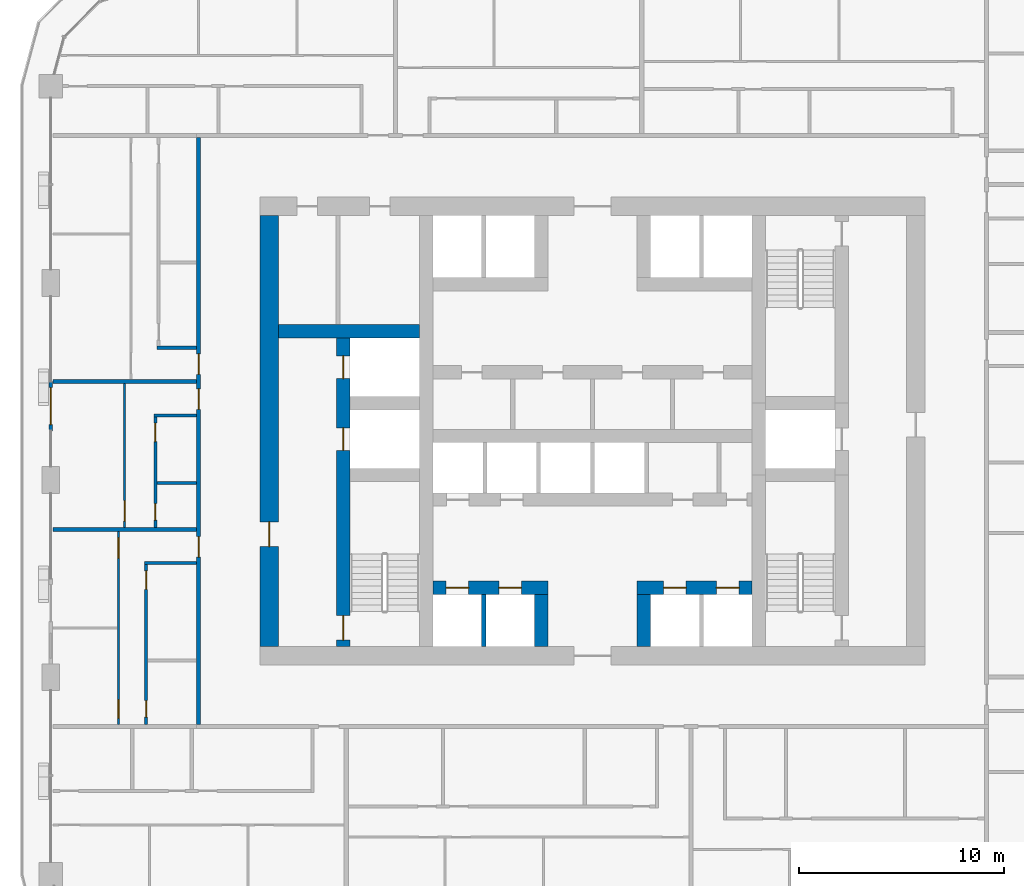
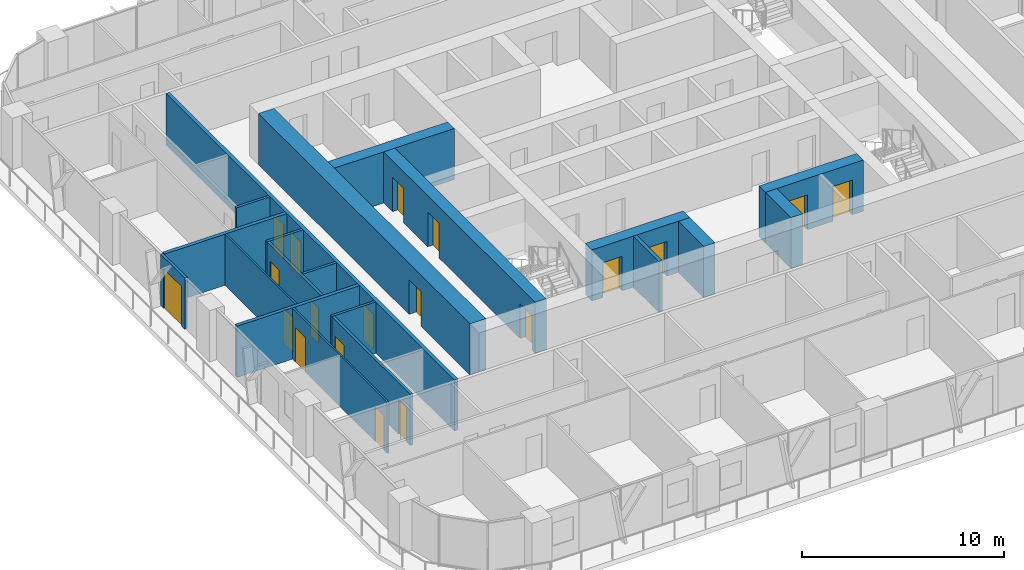
# One storey, part 10 of 21: 20 walls, 19 doors, 19 openings.
"""IFC4 building model written with IfcOpenShell, lengths in metres."""

from ifc_helpers import new_model, si_unit, direction, frame, frame_2d, origin, place, context, subcontext, project, spatial, rectangle, extrude, material, layer, layer_set, type_object, element, fill, save


model = new_model("IFC4")

# Units and contexts
model_context = context("Model", 3, precision=1e-05, world=origin(), true_north=direction((0.0, 1.0)))
body_context = subcontext(model_context, "Body", "Model", "MODEL_VIEW")
ifc_project = project(units=[si_unit("LENGTHUNIT", "METRE"), si_unit("AREAUNIT", "SQUARE_METRE"), si_unit("VOLUMEUNIT", "CUBIC_METRE"), si_unit("PLANEANGLEUNIT", "RADIAN"), si_unit("MASSUNIT", "GRAM", prefix="KILO")], contexts=[model_context])

# Site, building, storey
site_placement = place(None, origin())
site = spatial("IfcSite", under=ifc_project, at=site_placement, CompositionType="ELEMENT")
building_placement = place(site_placement, origin())
building = spatial("IfcBuilding", under=site, at=building_placement, Name="Madar Terraces", CompositionType="ELEMENT")
storey_placement = place(building_placement, frame((0.0, 0.0, 80.300048828125)))
storey = spatial("IfcBuildingStorey", under=building, at=storey_placement, Name="L20", CompositionType="ELEMENT", Elevation=80.300048828125)

# Wall, openings, doors
ifc_material_1 = material(Name="Concrete C80/95", Category="concrete")
ifc_layer_1 = layer(ifc_material_1, 0.64990234375)
ifc_layer_set_1 = layer_set([ifc_layer_1], Name="Concrete C80/95 (CIW2 RC wall 650)")
wall_type_1 = type_object("IfcWallType", Name="CIW2 RC wall 650", PredefinedType="SHEAR", material=ifc_layer_set_1)
wall_1_placement = place(storey_placement, frame((19.050048828125, 15.89990234375, 0.0), z_axis=(0.0, 0.0, 1.0), x_axis=(0.0, 1.0, 0.0)))
wall_1 = element("IfcWall", 1, at=wall_1_placement, inside=storey, type_object=wall_type_1, Name="CORE SHAFT WALL", PredefinedType="SHEAR", context=body_context, shape_type="SweptSolid", body=[
    extrude(rectangle(XDim=15.025146484375, YDim=0.64990234375, at=frame_2d((7.5126953125, 0.0))), origin(), (0.0, 0.0, 1.0), 3.099853515625),
])
opening_1_placement = place(wall_1_placement, frame((9.550048828125, 0.0, 0.0)))
opening_1 = element("IfcOpeningElement", 2, at=opening_1_placement, cuts=wall_1, Name="Opening LD", PredefinedType="OPENING", context=body_context, shape_type="SweptSolid", body=[
    extrude(rectangle(XDim=1.10009765625, YDim=2.10009765625, at=frame_2d((0.550048828125, 1.050048828125))), frame((0.0, 0.3349609375, 0.0), z_axis=(0.0, -1.0, 0.0), x_axis=(1.0, 0.0, 0.0)), (0.0, 0.0, 1.0), 0.669921875),
])
opening_2_placement = place(wall_1_placement, frame((13.050048828125, 0.0, 0.0)))
opening_2 = element("IfcOpeningElement", 3, at=opening_2_placement, cuts=wall_1, Name="Opening LD", PredefinedType="OPENING", context=body_context, shape_type="SweptSolid", body=[
    extrude(rectangle(XDim=1.10009765625, YDim=2.10009765625, at=frame_2d((0.550048828125, 1.050048828125))), frame((0.0, 0.3349609375, 0.0), z_axis=(0.0, -1.0, 0.0), x_axis=(1.0, 0.0, 0.0)), (0.0, 0.0, 1.0), 0.669921875),
])
opening_3_placement = place(wall_1_placement, frame((0.300048828125, 0.0, 0.0)))
opening_3 = element("IfcOpeningElement", 4, at=opening_3_placement, cuts=wall_1, Name="Opening SD1", PredefinedType="OPENING", context=body_context, shape_type="SweptSolid", body=[
    extrude(rectangle(XDim=1.199951171875, YDim=2.10009765625, at=frame_2d((0.60009765625, 1.050048828125))), frame((0.0, 0.3349609375, 0.0), z_axis=(0.0, -1.0, 0.0), x_axis=(1.0, 0.0, 0.0)), (0.0, 0.0, 1.0), 0.669921875),
])
ifc_material_2 = material(Name="Stainless steel panel", Category="steel")
door_type_1 = type_object("IfcDoorType", Name="Lift landing door 1100 x 2100", OperationType="DOUBLE_DOOR_SLIDING", PredefinedType="DOOR", material=ifc_material_2)
door_1_placement = place(opening_1_placement, origin())
door_1 = element("IfcDoor", 5, at=door_1_placement, inside=storey, type_object=door_type_1, Name="LIFT LANDING DOOR", OperationType="DOUBLE_DOOR_SLIDING", OverallHeight=2.10009765625, OverallWidth=1.10009765625, PredefinedType="DOOR", context=body_context, shape_type="SweptSolid", body=[
    extrude(rectangle(XDim=1.10009765625, YDim=2.10009765625, at=frame_2d((0.550048828125, 1.050048828125))), frame((0.0, 0.02490234375, 0.0), z_axis=(0.0, -1.0, 0.0), x_axis=(1.0, 0.0, 0.0)), (0.0, 0.0, 1.0), 0.050048828125),
])
fill(opening_1, door_1)
door_2_placement = place(opening_2_placement, origin())
door_2 = element("IfcDoor", 6, at=door_2_placement, inside=storey, type_object=door_type_1, Name="LIFT LANDING DOOR", OperationType="DOUBLE_DOOR_SLIDING", OverallHeight=2.10009765625, OverallWidth=1.10009765625, PredefinedType="DOOR", context=body_context, shape_type="SweptSolid", body=[
    extrude(rectangle(XDim=1.10009765625, YDim=2.10009765625, at=frame_2d((0.550048828125, 1.050048828125))), frame((0.0, 0.02490234375, 0.0), z_axis=(0.0, -1.0, 0.0), x_axis=(1.0, 0.0, 0.0)), (0.0, 0.0, 1.0), 0.050048828125),
])
fill(opening_2, door_2)
ifc_material_3 = material(Name="Steel door leaf", Category="steel")
door_type_2 = type_object("IfcDoorType", Name="Stair door 1200 x 2100", OperationType="NOTDEFINED", PredefinedType="DOOR", material=ifc_material_3)
door_3_placement = place(opening_3_placement, frame((1.199951171875, 0.0, 0.0), z_axis=(0.0, 0.0, 1.0), x_axis=(-1.0, 0.0, 0.0)))
door_3 = element("IfcDoor", 7, at=door_3_placement, inside=storey, type_object=door_type_2, Name="STAIR DOOR", OperationType="SINGLE_SWING_RIGHT", OverallHeight=2.10009765625, OverallWidth=1.199951171875, PredefinedType="DOOR", context=body_context, shape_type="SweptSolid", body=[
    extrude(rectangle(XDim=1.199951171875, YDim=2.10009765625, at=frame_2d((0.60009765625, 1.050048828125))), frame((0.0, 0.02490234375, 0.0), z_axis=(0.0, -1.0, 0.0), x_axis=(1.0, 0.0, 0.0)), (0.0, 0.0, 1.0), 0.050048828125),
])
fill(opening_3, door_3)

# Wall
wall_2_placement = place(storey_placement, frame((15.89990234375, 31.25, 0.0), z_axis=(0.0, 0.0, 1.0), x_axis=(1.0, 0.0, 0.0)))
element("IfcWall", 8, at=wall_2_placement, inside=storey, type_object=wall_type_1, Name="CORE SHAFT WALL", PredefinedType="SHEAR", context=body_context, shape_type="SweptSolid", body=[
    extrude(rectangle(XDim=6.875, YDim=0.64990234375, at=frame_2d((3.4375, 0.0))), origin(), (0.0, 0.0, 1.0), 3.099853515625),
])

# Wall, openings, doors
wall_3_placement = place(storey_placement, frame((23.425048828125, 18.75, 0.0), z_axis=(0.0, 0.0, 1.0), x_axis=(1.0, 0.0, 0.0)))
wall_3 = element("IfcWall", 9, at=wall_3_placement, inside=storey, type_object=wall_type_1, Name="CORE SHAFT WALL", PredefinedType="SHEAR", context=body_context, shape_type="SweptSolid", body=[
    extrude(rectangle(XDim=5.599853515625, YDim=0.64990234375, at=frame_2d((2.7998046875, 0.0))), origin(), (0.0, 0.0, 1.0), 3.099853515625),
])
opening_4_placement = place(wall_3_placement, frame((0.637451171875, 0.0, 0.0)))
opening_4 = element("IfcOpeningElement", 10, at=opening_4_placement, cuts=wall_3, Name="Opening LD", PredefinedType="OPENING", context=body_context, shape_type="SweptSolid", body=[
    extrude(rectangle(XDim=1.10009765625, YDim=2.10009765625, at=frame_2d((0.550048828125, 1.050048828125))), frame((0.0, 0.3349609375, 0.0), z_axis=(0.0, -1.0, 0.0), x_axis=(1.0, 0.0, 0.0)), (0.0, 0.0, 1.0), 0.669921875),
])
opening_5_placement = place(wall_3_placement, frame((3.21240234375, 0.0, 0.0)))
opening_5 = element("IfcOpeningElement", 11, at=opening_5_placement, cuts=wall_3, Name="Opening LD", PredefinedType="OPENING", context=body_context, shape_type="SweptSolid", body=[
    extrude(rectangle(XDim=1.10009765625, YDim=2.10009765625, at=frame_2d((0.550048828125, 1.050048828125))), frame((0.0, 0.3349609375, 0.0), z_axis=(0.0, -1.0, 0.0), x_axis=(1.0, 0.0, 0.0)), (0.0, 0.0, 1.0), 0.669921875),
])
door_4_placement = place(opening_4_placement, origin())
door_4 = element("IfcDoor", 12, at=door_4_placement, inside=storey, type_object=door_type_1, Name="LIFT LANDING DOOR", OperationType="DOUBLE_DOOR_SLIDING", OverallHeight=2.10009765625, OverallWidth=1.10009765625, PredefinedType="DOOR", context=body_context, shape_type="SweptSolid", body=[
    extrude(rectangle(XDim=1.10009765625, YDim=2.10009765625, at=frame_2d((0.550048828125, 1.050048828125))), frame((0.0, 0.02490234375, 0.0), z_axis=(0.0, -1.0, 0.0), x_axis=(1.0, 0.0, 0.0)), (0.0, 0.0, 1.0), 0.050048828125),
])
fill(opening_4, door_4)
door_5_placement = place(opening_5_placement, origin())
door_5 = element("IfcDoor", 13, at=door_5_placement, inside=storey, type_object=door_type_1, Name="LIFT LANDING DOOR", OperationType="DOUBLE_DOOR_SLIDING", OverallHeight=2.10009765625, OverallWidth=1.10009765625, PredefinedType="DOOR", context=body_context, shape_type="SweptSolid", body=[
    extrude(rectangle(XDim=1.10009765625, YDim=2.10009765625, at=frame_2d((0.550048828125, 1.050048828125))), frame((0.0, 0.02490234375, 0.0), z_axis=(0.0, -1.0, 0.0), x_axis=(1.0, 0.0, 0.0)), (0.0, 0.0, 1.0), 0.050048828125),
])
fill(opening_5, door_5)

wall_4_placement = place(storey_placement, frame((33.375, 18.75, 0.0), z_axis=(0.0, 0.0, 1.0), x_axis=(1.0, 0.0, 0.0)))
wall_4 = element("IfcWall", 14, at=wall_4_placement, inside=storey, type_object=wall_type_1, Name="CORE SHAFT WALL", PredefinedType="SHEAR", context=body_context, shape_type="SweptSolid", body=[
    extrude(rectangle(XDim=5.60009765625, YDim=0.64990234375, at=frame_2d((2.800048828125, 0.0))), origin(), (0.0, 0.0, 1.0), 3.099853515625),
])
opening_6_placement = place(wall_4_placement, frame((1.28759765625, 0.0, 0.0)))
opening_6 = element("IfcOpeningElement", 15, at=opening_6_placement, cuts=wall_4, Name="Opening LD", PredefinedType="OPENING", context=body_context, shape_type="SweptSolid", body=[
    extrude(rectangle(XDim=1.10009765625, YDim=2.10009765625, at=frame_2d((0.550048828125, 1.050048828125))), frame((0.0, 0.3349609375, 0.0), z_axis=(0.0, -1.0, 0.0), x_axis=(1.0, 0.0, 0.0)), (0.0, 0.0, 1.0), 0.669921875),
])
opening_7_placement = place(wall_4_placement, frame((3.862548828125, 0.0, 0.0)))
opening_7 = element("IfcOpeningElement", 16, at=opening_7_placement, cuts=wall_4, Name="Opening LD", PredefinedType="OPENING", context=body_context, shape_type="SweptSolid", body=[
    extrude(rectangle(XDim=1.10009765625, YDim=2.10009765625, at=frame_2d((0.550048828125, 1.050048828125))), frame((0.0, 0.3349609375, 0.0), z_axis=(0.0, -1.0, 0.0), x_axis=(1.0, 0.0, 0.0)), (0.0, 0.0, 1.0), 0.669921875),
])
door_6_placement = place(opening_6_placement, origin())
door_6 = element("IfcDoor", 17, at=door_6_placement, inside=storey, type_object=door_type_1, Name="LIFT LANDING DOOR", OperationType="DOUBLE_DOOR_SLIDING", OverallHeight=2.10009765625, OverallWidth=1.10009765625, PredefinedType="DOOR", context=body_context, shape_type="SweptSolid", body=[
    extrude(rectangle(XDim=1.10009765625, YDim=2.10009765625, at=frame_2d((0.550048828125, 1.050048828125))), frame((0.0, 0.02490234375, 0.0), z_axis=(0.0, -1.0, 0.0), x_axis=(1.0, 0.0, 0.0)), (0.0, 0.0, 1.0), 0.050048828125),
])
fill(opening_6, door_6)
door_7_placement = place(opening_7_placement, origin())
door_7 = element("IfcDoor", 18, at=door_7_placement, inside=storey, type_object=door_type_1, Name="LIFT LANDING DOOR", OperationType="DOUBLE_DOOR_SLIDING", OverallHeight=2.10009765625, OverallWidth=1.10009765625, PredefinedType="DOOR", context=body_context, shape_type="SweptSolid", body=[
    extrude(rectangle(XDim=1.10009765625, YDim=2.10009765625, at=frame_2d((0.550048828125, 1.050048828125))), frame((0.0, 0.02490234375, 0.0), z_axis=(0.0, -1.0, 0.0), x_axis=(1.0, 0.0, 0.0)), (0.0, 0.0, 1.0), 0.050048828125),
])
fill(opening_7, door_7)

# Walls
for number, where, z_axis, x_axis, name in (
    (19, (28.699951171875, 15.89990234375, 0.0), (0.0, 0.0, 1.0), (0.0, 1.0, 0.0), "CORE SHAFT WALL"),
    (20, (33.699951171875, 15.89990234375, 0.0), (0.0, 0.0, 1.0), (0.0, 1.0, 0.0), "CORE SHAFT WALL"),
):
    element("IfcWall", number, at=place(storey_placement, frame(where, z_axis=z_axis, x_axis=x_axis)), inside=storey, type_object=wall_type_1, Name=name, PredefinedType="SHEAR", context=body_context, shape_type="SweptSolid", body=[
        extrude(rectangle(XDim=2.525146484375, YDim=0.64990234375, at=frame_2d((1.2626953125, 0.0))), origin(), (0.0, 0.0, 1.0), 3.099853515625),
    ])

# Wall, opening, door
ifc_material_4 = material(Name="Concrete C80/95", Category="concrete")
ifc_layer_2 = layer(ifc_material_4, 0.89990234375)
ifc_layer_set_2 = layer_set([ifc_layer_2], Name="Concrete C80/95 (CRW2 RC wall 900)")
wall_type_2 = type_object("IfcWallType", Name="CRW2 RC wall 900", PredefinedType="SHEAR", material=ifc_layer_set_2)
wall_5_placement = place(storey_placement, frame((15.449951171875, 15.89990234375, 0.0), z_axis=(0.0, 0.0, 1.0), x_axis=(0.0, 1.0, 0.0)))
wall_5 = element("IfcWall", 21, at=wall_5_placement, inside=storey, type_object=wall_type_2, Name="CORE OUTER WALL", PredefinedType="SHEAR", context=body_context, shape_type="SweptSolid", body=[
    extrude(rectangle(XDim=21.0, YDim=0.89990234375, at=frame_2d((10.5, 0.0))), origin(), (0.0, 0.0, 1.0), 3.099853515625),
])
opening_8_placement = place(wall_5_placement, frame((4.860107421875, 0.0, 0.0)))
opening_8 = element("IfcOpeningElement", 22, at=opening_8_placement, cuts=wall_5, Name="Opening SD1", PredefinedType="OPENING", context=body_context, shape_type="SweptSolid", body=[
    extrude(rectangle(XDim=1.199951171875, YDim=2.10009765625, at=frame_2d((0.60009765625, 1.050048828125))), frame((0.0, 0.4599609375, 0.0), z_axis=(0.0, -1.0, 0.0), x_axis=(1.0, 0.0, 0.0)), (0.0, 0.0, 1.0), 0.919921875),
])
door_8_placement = place(opening_8_placement, frame((1.199951171875, 0.0, 0.0), z_axis=(0.0, 0.0, 1.0), x_axis=(-1.0, 0.0, 0.0)))
door_8 = element("IfcDoor", 23, at=door_8_placement, inside=storey, type_object=door_type_2, Name="STAIR DOOR", OperationType="SINGLE_SWING_LEFT", OverallHeight=2.10009765625, OverallWidth=1.199951171875, PredefinedType="DOOR", context=body_context, shape_type="SweptSolid", body=[
    extrude(rectangle(XDim=1.199951171875, YDim=2.10009765625, at=frame_2d((0.60009765625, 1.050048828125))), frame((0.0, 0.02490234375, 0.0), z_axis=(0.0, -1.0, 0.0), x_axis=(1.0, 0.0, 0.0)), (0.0, 0.0, 1.0), 0.050048828125),
])
fill(opening_8, door_8)

# Wall
ifc_material_5 = material(Name="Concrete C40/50", Category="concrete")
ifc_layer_3 = layer(ifc_material_5, 0.199951171875)
ifc_layer_set_3 = layer_set([ifc_layer_3], Name="Core shaft dividing wall 200 C40/50")
wall_type_3 = type_object("IfcWallType", Name="Core shaft dividing wall 200 C40/50", PredefinedType="SOLIDWALL", material=ifc_layer_set_3)
wall_6_placement = place(storey_placement, frame((25.89990234375, 15.89990234375, 0.0), z_axis=(0.0, 0.0, 1.0), x_axis=(0.0, 1.0, 0.0)))
element("IfcWall", 24, at=wall_6_placement, inside=storey, type_object=wall_type_3, Name="SHAFT DIVIDING WALL", PredefinedType="SOLIDWALL", context=body_context, shape_type="SweptSolid", body=[
    extrude(rectangle(XDim=2.525146484375, YDim=0.199951171875, at=frame_2d((1.2626953125, 0.0))), origin(), (0.0, 0.0, 1.0), 3.099853515625),
])

# Wall, opening, door
ifc_material_6 = material(Name="Aluminium composite panel, black, over insulated backing", Category="aluminium")
ifc_layer_4 = layer(ifc_material_6, 0.14990234375)
ifc_layer_set_4 = layer_set([ifc_layer_4], Name="Facade bay panel 150")
wall_type_4 = type_object("IfcWallType", Name="Facade bay panel 150", PredefinedType="SOLIDWALL", material=ifc_layer_set_4)
wall_7_placement = place(storey_placement, frame((4.800048828125, 28.800048828125, 0.0), z_axis=(0.0, 0.0, 1.0), x_axis=(0.0, -1.0, 0.0)))
wall_7 = element("IfcWall", 25, at=wall_7_placement, inside=storey, type_object=wall_type_4, Name="Facade bay panel", PredefinedType="SOLIDWALL", context=body_context, shape_type="SweptSolid", body=[
    extrude(rectangle(XDim=2.400146484375, YDim=0.14990234375, at=frame_2d((1.2001953125, 0.0))), origin(), (0.0, 0.0, 1.0), 3.099853515625),
])
opening_9_placement = place(wall_7_placement, frame((0.300048828125, 0.0, 0.0)))
opening_9 = element("IfcOpeningElement", 26, at=opening_9_placement, cuts=wall_7, Name="Opening ED1", PredefinedType="OPENING", context=body_context, shape_type="SweptSolid", body=[
    extrude(rectangle(XDim=1.800048828125, YDim=2.39990234375, at=frame_2d((0.89990234375, 1.199951171875))), frame((0.0, 0.0849609375, 0.0), z_axis=(0.0, -1.0, 0.0), x_axis=(1.0, 0.0, 0.0)), (0.0, 0.0, 1.0), 0.169921875),
])
ifc_material_7 = material(Name="Glass, clear, with black aluminium frame", Category="aluminium")
door_type_3 = type_object("IfcDoorType", Name="Balcony and terrace sliding door 1800 x 2400", OperationType="SLIDING_TO_LEFT", PredefinedType="DOOR", material=ifc_material_7)
door_9_placement = place(opening_9_placement, origin())
door_9 = element("IfcDoor", 27, at=door_9_placement, inside=storey, type_object=door_type_3, Name="Balcony door", OperationType="SLIDING_TO_LEFT", OverallHeight=2.39990234375, OverallWidth=1.800048828125, PredefinedType="DOOR", context=body_context, shape_type="SweptSolid", body=[
    extrude(rectangle(XDim=1.800048828125, YDim=2.39990234375, at=frame_2d((0.89990234375, 1.199951171875))), frame((0.0, 0.02490234375, 0.0), z_axis=(0.0, -1.0, 0.0), x_axis=(1.0, 0.0, 0.0)), (0.0, 0.0, 1.0), 0.050048828125),
])
fill(opening_9, door_9)

ifc_material_8 = material(Name="Gypsum board on steel studs", Category="steel")
ifc_layer_5 = layer(ifc_material_8, 0.10009765625)
ifc_layer_set_5 = layer_set([ifc_layer_5], Name="Flat partition 100")
wall_type_5 = type_object("IfcWallType", Name="Flat partition 100", PredefinedType="PARTITIONING", material=ifc_layer_set_5)
wall_8_placement = place(storey_placement, frame((8.39990234375, 21.699951171875, 0.0), z_axis=(0.0, 0.0, 1.0), x_axis=(0.0, 1.0, 0.0)))
wall_8 = element("IfcWall", 28, at=wall_8_placement, inside=storey, type_object=wall_type_5, Name="Flat partition 100", PredefinedType="PARTITIONING", context=body_context, shape_type="SweptSolid", body=[
    extrude(rectangle(XDim=7.0, YDim=0.10009765625, at=frame_2d((3.5, 0.0))), origin(), (0.0, 0.0, 1.0), 3.099853515625),
])
opening_10_placement = place(wall_8_placement, frame((0.300048828125, 0.0, 0.0)))
opening_10 = element("IfcOpeningElement", 29, at=opening_10_placement, cuts=wall_8, Name="Opening D3", PredefinedType="OPENING", context=body_context, shape_type="SweptSolid", body=[
    extrude(rectangle(XDim=1.0, YDim=2.10009765625, at=frame_2d((0.5, 1.050048828125))), frame((0.0, 0.06005859375, 0.0), z_axis=(0.0, -1.0, 0.0), x_axis=(1.0, 0.0, 0.0)), (0.0, 0.0, 1.0), 0.1201171875),
])
ifc_material_9 = material(Name="Timber door leaf", Category="wood")
door_type_4 = type_object("IfcDoorType", Name="Flat living room door 1000", OperationType="NOTDEFINED", PredefinedType="DOOR", material=ifc_material_9)
door_10_placement = place(opening_10_placement, origin())
door_10 = element("IfcDoor", 30, at=door_10_placement, inside=storey, type_object=door_type_4, Name="Flat living room door 1000", OperationType="SINGLE_SWING_LEFT", OverallHeight=2.10009765625, OverallWidth=1.0, PredefinedType="DOOR", context=body_context, shape_type="SweptSolid", body=[
    extrude(rectangle(XDim=1.0, YDim=2.10009765625, at=frame_2d((0.5, 1.050048828125))), frame((0.0, 0.02490234375, 0.0), z_axis=(0.0, -1.0, 0.0), x_axis=(1.0, 0.0, 0.0)), (0.0, 0.0, 1.0), 0.050048828125),
])
fill(opening_10, door_10)

# Wall, openings, doors
wall_9_placement = place(storey_placement, frame((8.10009765625, 12.10009765625, 0.0), z_axis=(0.0, 0.0, 1.0), x_axis=(0.0, 1.0, 0.0)))
wall_9 = element("IfcWall", 31, at=wall_9_placement, inside=storey, type_object=wall_type_5, Name="Flat partition 100", PredefinedType="PARTITIONING", context=body_context, shape_type="SweptSolid", body=[
    extrude(rectangle(XDim=9.39990234375, YDim=0.10009765625, at=frame_2d((4.699951171875, 0.0))), origin(), (0.0, 0.0, 1.0), 3.099853515625),
])
opening_11_placement = place(wall_9_placement, frame((8.10009765625, 0.0, 0.0)))
opening_11 = element("IfcOpeningElement", 32, at=opening_11_placement, cuts=wall_9, Name="Opening D3", PredefinedType="OPENING", context=body_context, shape_type="SweptSolid", body=[
    extrude(rectangle(XDim=1.0, YDim=2.10009765625, at=frame_2d((0.5, 1.050048828125))), frame((0.0, 0.06005859375, 0.0), z_axis=(0.0, -1.0, 0.0), x_axis=(1.0, 0.0, 0.0)), (0.0, 0.0, 1.0), 0.1201171875),
])
opening_12_placement = place(wall_9_placement, frame((0.300048828125, 0.0, 0.0)))
opening_12 = element("IfcOpeningElement", 33, at=opening_12_placement, cuts=wall_9, Name="Opening D2", PredefinedType="OPENING", context=body_context, shape_type="SweptSolid", body=[
    extrude(rectangle(XDim=0.89990234375, YDim=2.10009765625, at=frame_2d((0.449951171875, 1.050048828125))), frame((0.0, 0.06005859375, 0.0), z_axis=(0.0, -1.0, 0.0), x_axis=(1.0, 0.0, 0.0)), (0.0, 0.0, 1.0), 0.1201171875),
])
door_11_placement = place(opening_11_placement, origin())
door_11 = element("IfcDoor", 34, at=door_11_placement, inside=storey, type_object=door_type_4, Name="Flat living room door 1000", OperationType="SINGLE_SWING_RIGHT", OverallHeight=2.10009765625, OverallWidth=1.0, PredefinedType="DOOR", context=body_context, shape_type="SweptSolid", body=[
    extrude(rectangle(XDim=1.0, YDim=2.10009765625, at=frame_2d((0.5, 1.050048828125))), frame((0.0, 0.02490234375, 0.0), z_axis=(0.0, -1.0, 0.0), x_axis=(1.0, 0.0, 0.0)), (0.0, 0.0, 1.0), 0.050048828125),
])
fill(opening_11, door_11)
ifc_material_10 = material(Name="Timber door leaf", Category="wood")
door_type_5 = type_object("IfcDoorType", Name="Flat room door 900", OperationType="NOTDEFINED", PredefinedType="DOOR", material=ifc_material_10)
door_12_placement = place(opening_12_placement, origin())
door_12 = element("IfcDoor", 35, at=door_12_placement, inside=storey, type_object=door_type_5, Name="Flat room door 900", OperationType="SINGLE_SWING_LEFT", OverallHeight=2.10009765625, OverallWidth=0.89990234375, PredefinedType="DOOR", context=body_context, shape_type="SweptSolid", body=[
    extrude(rectangle(XDim=0.89990234375, YDim=2.10009765625, at=frame_2d((0.449951171875, 1.050048828125))), frame((0.0, 0.02490234375, 0.0), z_axis=(0.0, -1.0, 0.0), x_axis=(1.0, 0.0, 0.0)), (0.0, 0.0, 1.0), 0.050048828125),
])
fill(opening_12, door_12)

ifc_material_11 = material(Name="Lightweight blockwork", Category="masonry")
ifc_layer_6 = layer(ifc_material_11, 0.199951171875)
ifc_layer_set_6 = layer_set([ifc_layer_6], Name="Flat party and entrance wall 200")
wall_type_6 = type_object("IfcWallType", Name="Flat party and entrance wall 200", PredefinedType="PARTITIONING", material=ifc_layer_set_6)
wall_10_placement = place(storey_placement, frame((12.0, 12.10009765625, 0.0), z_axis=(0.0, 0.0, 1.0), x_axis=(0.0, 1.0, 0.0)))
wall_10 = element("IfcWall", 36, at=wall_10_placement, inside=storey, type_object=wall_type_6, Name="Flat party and entrance wall 200", PredefinedType="PARTITIONING", context=body_context, shape_type="SweptSolid", body=[
    extrude(rectangle(XDim=28.599853515625, YDim=0.199951171875, at=frame_2d((14.2998046875, 0.0))), origin(), (0.0, 0.0, 1.0), 3.099853515625),
])
opening_13_placement = place(wall_10_placement, frame((17.050048828125, 0.0, 0.0)))
opening_13 = element("IfcOpeningElement", 37, at=opening_13_placement, cuts=wall_10, Name="Opening D1", PredefinedType="OPENING", context=body_context, shape_type="SweptSolid", body=[
    extrude(rectangle(XDim=1.0, YDim=2.10009765625, at=frame_2d((0.5, 1.050048828125))), frame((0.0, 0.10986328125, 0.0), z_axis=(0.0, -1.0, 0.0), x_axis=(1.0, 0.0, 0.0)), (0.0, 0.0, 1.0), 0.219970703125),
])
opening_14_placement = place(wall_10_placement, frame((15.35009765625, 0.0, 0.0)))
opening_14 = element("IfcOpeningElement", 38, at=opening_14_placement, cuts=wall_10, Name="Opening D1", PredefinedType="OPENING", context=body_context, shape_type="SweptSolid", body=[
    extrude(rectangle(XDim=1.0, YDim=2.10009765625, at=frame_2d((0.5, 1.050048828125))), frame((0.0, 0.10986328125, 0.0), z_axis=(0.0, -1.0, 0.0), x_axis=(1.0, 0.0, 0.0)), (0.0, 0.0, 1.0), 0.219970703125),
])
opening_15_placement = place(wall_10_placement, frame((8.14990234375, 0.0, 0.0)))
opening_15 = element("IfcOpeningElement", 39, at=opening_15_placement, cuts=wall_10, Name="Opening D1", PredefinedType="OPENING", context=body_context, shape_type="SweptSolid", body=[
    extrude(rectangle(XDim=1.0, YDim=2.10009765625, at=frame_2d((0.5, 1.050048828125))), frame((0.0, 0.10986328125, 0.0), z_axis=(0.0, -1.0, 0.0), x_axis=(1.0, 0.0, 0.0)), (0.0, 0.0, 1.0), 0.219970703125),
])
ifc_material_12 = material(Name="Timber fire door leaf", Category="wood")
door_type_6 = type_object("IfcDoorType", Name="Flat entrance door 1000 FD30S", OperationType="NOTDEFINED", PredefinedType="DOOR", material=ifc_material_12)
door_13_placement = place(opening_13_placement, origin())
door_13 = element("IfcDoor", 40, at=door_13_placement, inside=storey, type_object=door_type_6, Name="Flat entrance door 1000 FD30S", OperationType="SINGLE_SWING_LEFT", OverallHeight=2.10009765625, OverallWidth=1.0, PredefinedType="DOOR", context=body_context, shape_type="SweptSolid", body=[
    extrude(rectangle(XDim=1.0, YDim=2.10009765625, at=frame_2d((0.5, 1.050048828125))), frame((0.0, 0.02490234375, 0.0), z_axis=(0.0, -1.0, 0.0), x_axis=(1.0, 0.0, 0.0)), (0.0, 0.0, 1.0), 0.050048828125),
])
fill(opening_13, door_13)
door_14_placement = place(opening_14_placement, origin())
door_14 = element("IfcDoor", 41, at=door_14_placement, inside=storey, type_object=door_type_6, Name="Flat entrance door 1000 FD30S", OperationType="SINGLE_SWING_RIGHT", OverallHeight=2.10009765625, OverallWidth=1.0, PredefinedType="DOOR", context=body_context, shape_type="SweptSolid", body=[
    extrude(rectangle(XDim=1.0, YDim=2.10009765625, at=frame_2d((0.5, 1.050048828125))), frame((0.0, 0.02490234375, 0.0), z_axis=(0.0, -1.0, 0.0), x_axis=(1.0, 0.0, 0.0)), (0.0, 0.0, 1.0), 0.050048828125),
])
fill(opening_14, door_14)
door_15_placement = place(opening_15_placement, origin())
door_15 = element("IfcDoor", 42, at=door_15_placement, inside=storey, type_object=door_type_6, Name="Flat entrance door 1000 FD30S", OperationType="SINGLE_SWING_RIGHT", OverallHeight=2.10009765625, OverallWidth=1.0, PredefinedType="DOOR", context=body_context, shape_type="SweptSolid", body=[
    extrude(rectangle(XDim=1.0, YDim=2.10009765625, at=frame_2d((0.5, 1.050048828125))), frame((0.0, 0.02490234375, 0.0), z_axis=(0.0, -1.0, 0.0), x_axis=(1.0, 0.0, 0.0)), (0.0, 0.0, 1.0), 0.050048828125),
])
fill(opening_15, door_15)

# Walls
for number, where, z_axis, x_axis, name in (
    (43, (4.89990234375, 28.800048828125, 0.0), (0.0, 0.0, 1.0), (1.0, 0.0, 0.0), "Flat party and entrance wall 200"),
    (44, (4.89990234375, 21.60009765625, 0.0), (0.0, 0.0, 1.0), (1.0, 0.0, 0.0), "Flat party and entrance wall 200"),
):
    element("IfcWall", number, at=place(storey_placement, frame(where, z_axis=z_axis, x_axis=x_axis)), inside=storey, type_object=wall_type_6, Name=name, PredefinedType="PARTITIONING", context=body_context, shape_type="SweptSolid", body=[
        extrude(rectangle(XDim=7.0, YDim=0.199951171875, at=frame_2d((3.5, 0.0))), origin(), (0.0, 0.0, 1.0), 3.099853515625),
    ])
ifc_material_13 = material(Name="Lightweight blockwork", Category="masonry")
ifc_layer_7 = layer(ifc_material_13, 0.14990234375)
ifc_layer_set_7 = layer_set([ifc_layer_7], Name="Flat wet-room partition 150")
wall_type_7 = type_object("IfcWallType", Name="Flat wet-room partition 150", PredefinedType="PARTITIONING", material=ifc_layer_set_7)
for number, where, z_axis, x_axis, name in (
    (45, (11.89990234375, 30.449951171875, 0.0), (0.0, 0.0, 1.0), (-1.0, 0.0, 0.0), "Flat wet-room partition 150"),
    (46, (11.89990234375, 23.85009765625, 0.0), (0.0, 0.0, 1.0), (-1.0, 0.0, 0.0), "Flat wet-room partition 150"),
):
    element("IfcWall", number, at=place(storey_placement, frame(where, z_axis=z_axis, x_axis=x_axis)), inside=storey, type_object=wall_type_7, Name=name, PredefinedType="PARTITIONING", context=body_context, shape_type="SweptSolid", body=[
        extrude(rectangle(XDim=1.9248046875, YDim=0.14990234375, at=frame_2d((0.96240234375, 0.0))), origin(), (0.0, 0.0, 1.0), 3.099853515625),
    ])
wall_11_placement = place(storey_placement, frame((11.89990234375, 27.14990234375, 0.0), z_axis=(0.0, 0.0, 1.0), x_axis=(-1.0, 0.0, 0.0)))
element("IfcWall", 47, at=wall_11_placement, inside=storey, type_object=wall_type_7, Name="Flat wet-room partition 150", PredefinedType="PARTITIONING", context=body_context, shape_type="SweptSolid", body=[
    extrude(rectangle(XDim=2.074951171875, YDim=0.14990234375, at=frame_2d((1.03759765625, 0.0))), origin(), (0.0, 0.0, 1.0), 3.099853515625),
])

# Wall, openings, doors
wall_12_placement = place(storey_placement, frame((9.89990234375, 27.074951171875, 0.0), z_axis=(0.0, 0.0, 1.0), x_axis=(0.0, -1.0, 0.0)))
wall_12 = element("IfcWall", 48, at=wall_12_placement, inside=storey, type_object=wall_type_7, Name="Flat wet-room partition 150", PredefinedType="PARTITIONING", context=body_context, shape_type="SweptSolid", body=[
    extrude(rectangle(XDim=5.375, YDim=0.14990234375, at=frame_2d((2.6875, 0.0))), origin(), (0.0, 0.0, 1.0), 3.099853515625),
])
opening_16_placement = place(wall_12_placement, frame((0.300048828125, 0.0, 0.0)))
opening_16 = element("IfcOpeningElement", 49, at=opening_16_placement, cuts=wall_12, Name="Opening D2", PredefinedType="OPENING", context=body_context, shape_type="SweptSolid", body=[
    extrude(rectangle(XDim=0.89990234375, YDim=2.10009765625, at=frame_2d((0.449951171875, 1.050048828125))), frame((0.0, 0.0849609375, 0.0), z_axis=(0.0, -1.0, 0.0), x_axis=(1.0, 0.0, 0.0)), (0.0, 0.0, 1.0), 0.169921875),
])
opening_17_placement = place(wall_12_placement, frame((4.22509765625, 0.0, 0.0)))
opening_17 = element("IfcOpeningElement", 50, at=opening_17_placement, cuts=wall_12, Name="Opening D4", PredefinedType="OPENING", context=body_context, shape_type="SweptSolid", body=[
    extrude(rectangle(XDim=0.800048828125, YDim=2.10009765625, at=frame_2d((0.39990234375, 1.050048828125))), frame((0.0, 0.0849609375, 0.0), z_axis=(0.0, -1.0, 0.0), x_axis=(1.0, 0.0, 0.0)), (0.0, 0.0, 1.0), 0.169921875),
])
ifc_material_14 = material(Name="Timber door leaf", Category="wood")
door_type_7 = type_object("IfcDoorType", Name="Flat bathroom door 800", OperationType="NOTDEFINED", PredefinedType="DOOR", material=ifc_material_14)
door_16_placement = place(opening_17_placement, origin())
door_16 = element("IfcDoor", 51, at=door_16_placement, inside=storey, type_object=door_type_7, Name="Flat bathroom door 800", OperationType="SINGLE_SWING_RIGHT", OverallHeight=2.10009765625, OverallWidth=0.800048828125, PredefinedType="DOOR", context=body_context, shape_type="SweptSolid", body=[
    extrude(rectangle(XDim=0.800048828125, YDim=2.10009765625, at=frame_2d((0.39990234375, 1.050048828125))), frame((0.0, 0.02490234375, 0.0), z_axis=(0.0, -1.0, 0.0), x_axis=(1.0, 0.0, 0.0)), (0.0, 0.0, 1.0), 0.050048828125),
])
fill(opening_17, door_16)
door_17_placement = place(opening_16_placement, origin())
door_17 = element("IfcDoor", 52, at=door_17_placement, inside=storey, type_object=door_type_5, Name="Flat room door 900", OperationType="SINGLE_SWING_LEFT", OverallHeight=2.10009765625, OverallWidth=0.89990234375, PredefinedType="DOOR", context=body_context, shape_type="SweptSolid", body=[
    extrude(rectangle(XDim=0.89990234375, YDim=2.10009765625, at=frame_2d((0.449951171875, 1.050048828125))), frame((0.0, 0.02490234375, 0.0), z_axis=(0.0, -1.0, 0.0), x_axis=(1.0, 0.0, 0.0)), (0.0, 0.0, 1.0), 0.050048828125),
])
fill(opening_16, door_17)

# Wall
wall_13_placement = place(storey_placement, frame((11.89990234375, 19.949951171875, 0.0), z_axis=(0.0, 0.0, 1.0), x_axis=(-1.0, 0.0, 0.0)))
element("IfcWall", 53, at=wall_13_placement, inside=storey, type_object=wall_type_7, Name="Flat wet-room partition 150", PredefinedType="PARTITIONING", context=body_context, shape_type="SweptSolid", body=[
    extrude(rectangle(XDim=2.52490234375, YDim=0.14990234375, at=frame_2d((1.262451171875, 0.0))), origin(), (0.0, 0.0, 1.0), 3.099853515625),
])

# Wall, openings, doors
wall_14_placement = place(storey_placement, frame((9.449951171875, 19.875, 0.0), z_axis=(0.0, 0.0, 1.0), x_axis=(0.0, -1.0, 0.0)))
wall_14 = element("IfcWall", 54, at=wall_14_placement, inside=storey, type_object=wall_type_7, Name="Flat wet-room partition 150", PredefinedType="PARTITIONING", context=body_context, shape_type="SweptSolid", body=[
    extrude(rectangle(XDim=7.77490234375, YDim=0.14990234375, at=frame_2d((3.887451171875, 0.0))), origin(), (0.0, 0.0, 1.0), 3.099853515625),
])
opening_18_placement = place(wall_14_placement, frame((0.300048828125, 0.0, 0.0)))
opening_18 = element("IfcOpeningElement", 55, at=opening_18_placement, cuts=wall_14, Name="Opening D2", PredefinedType="OPENING", context=body_context, shape_type="SweptSolid", body=[
    extrude(rectangle(XDim=0.89990234375, YDim=2.10009765625, at=frame_2d((0.449951171875, 1.050048828125))), frame((0.0, 0.0849609375, 0.0), z_axis=(0.0, -1.0, 0.0), x_axis=(1.0, 0.0, 0.0)), (0.0, 0.0, 1.0), 0.169921875),
])
opening_19_placement = place(wall_14_placement, frame((6.625, 0.0, 0.0)))
opening_19 = element("IfcOpeningElement", 56, at=opening_19_placement, cuts=wall_14, Name="Opening D4", PredefinedType="OPENING", context=body_context, shape_type="SweptSolid", body=[
    extrude(rectangle(XDim=0.800048828125, YDim=2.10009765625, at=frame_2d((0.39990234375, 1.050048828125))), frame((0.0, 0.0849609375, 0.0), z_axis=(0.0, -1.0, 0.0), x_axis=(1.0, 0.0, 0.0)), (0.0, 0.0, 1.0), 0.169921875),
])
door_18_placement = place(opening_19_placement, origin())
door_18 = element("IfcDoor", 57, at=door_18_placement, inside=storey, type_object=door_type_7, Name="Flat bathroom door 800", OperationType="SINGLE_SWING_RIGHT", OverallHeight=2.10009765625, OverallWidth=0.800048828125, PredefinedType="DOOR", context=body_context, shape_type="SweptSolid", body=[
    extrude(rectangle(XDim=0.800048828125, YDim=2.10009765625, at=frame_2d((0.39990234375, 1.050048828125))), frame((0.0, 0.02490234375, 0.0), z_axis=(0.0, -1.0, 0.0), x_axis=(1.0, 0.0, 0.0)), (0.0, 0.0, 1.0), 0.050048828125),
])
fill(opening_19, door_18)
door_19_placement = place(opening_18_placement, origin())
door_19 = element("IfcDoor", 58, at=door_19_placement, inside=storey, type_object=door_type_5, Name="Flat room door 900", OperationType="SINGLE_SWING_LEFT", OverallHeight=2.10009765625, OverallWidth=0.89990234375, PredefinedType="DOOR", context=body_context, shape_type="SweptSolid", body=[
    extrude(rectangle(XDim=0.89990234375, YDim=2.10009765625, at=frame_2d((0.449951171875, 1.050048828125))), frame((0.0, 0.02490234375, 0.0), z_axis=(0.0, -1.0, 0.0), x_axis=(1.0, 0.0, 0.0)), (0.0, 0.0, 1.0), 0.050048828125),
])
fill(opening_18, door_19)

save(model, "model.ifc")
